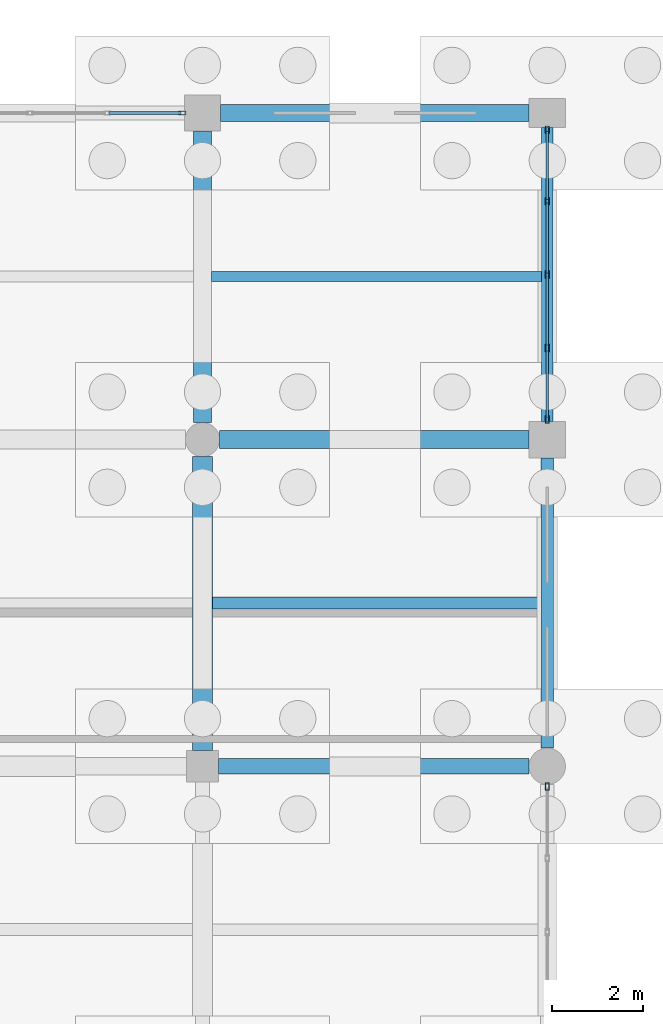
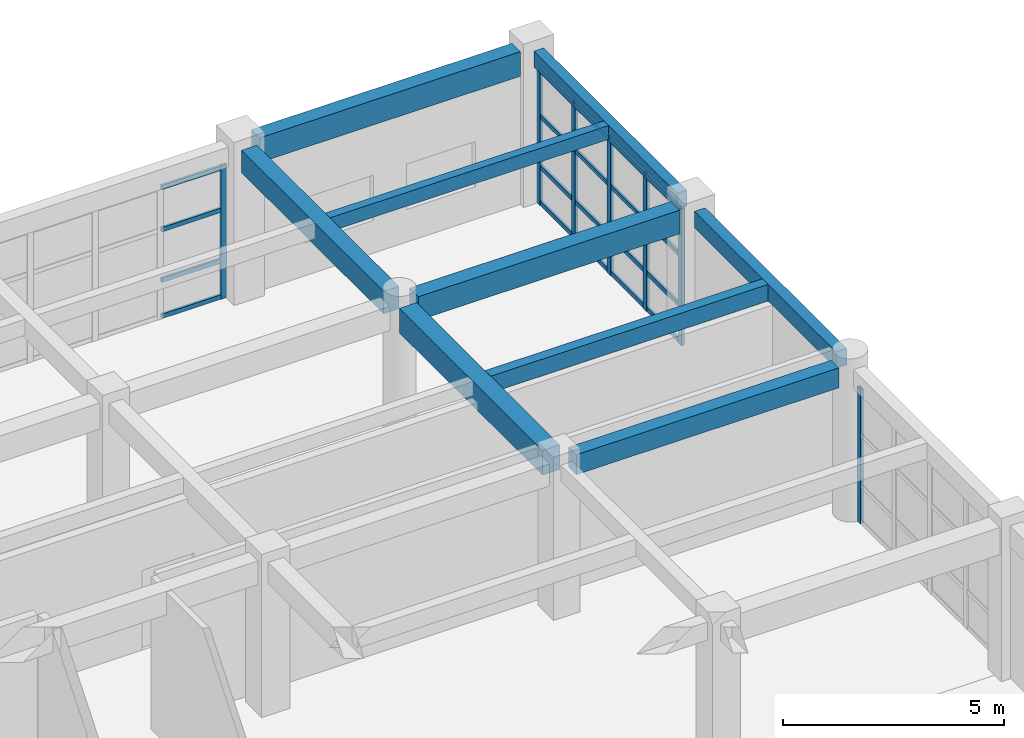
# One storey, part 107 of 166: 27 members, 9 beams, 3 elements without a shape of their own.
"""IFC4 building model written with IfcOpenShell, lengths in metres."""

from ifc_helpers import new_model, si_unit, direction, frame, origin, origin_2d, place, context, subcontext, project, spatial, rectangle, hollow_rectangle, extrude, material, material_profile, profile_set, type_object, element, aggregate, save


model = new_model("IFC4")

# Units and contexts
model_context = context("Model", 3, precision=1e-05, world=origin(), true_north=direction((0.0, 1.0)))
body_context = subcontext(model_context, "Body", "Model", "MODEL_VIEW")
ifc_project = project(units=[si_unit("LENGTHUNIT", "METRE"), si_unit("AREAUNIT", "SQUARE_METRE"), si_unit("VOLUMEUNIT", "CUBIC_METRE"), si_unit("PLANEANGLEUNIT", "RADIAN"), si_unit("MASSUNIT", "GRAM", prefix="KILO")], contexts=[model_context])

# Site, building, storey
site_placement = place(None, origin())
site = spatial("IfcSite", under=ifc_project, at=site_placement, CompositionType="ELEMENT")
building_placement = place(site_placement, origin())
building = spatial("IfcBuilding", under=site, at=building_placement, Name="Kharva Crest Polytechnic", CompositionType="ELEMENT")
storey_placement = place(building_placement, origin())
storey = spatial("IfcBuildingStorey", under=building, at=storey_placement, Name="L00", CompositionType="ELEMENT", Elevation=0.0)

# Beams
ifc_material_1 = material(Name="Concrete C35/45", Category="concrete")
ifc_material_profile_1 = material_profile(ifc_material_1, rectangle(XDim=0.35009765625, YDim=0.550048828125, at=origin_2d()), Name="RECT 350 X 550")
ifc_profile_set_1 = profile_set([ifc_material_profile_1], Name="Concrete C35/45")
beam_type_1 = type_object("IfcBeamType", Name="BM-RC-350X550", PredefinedType="BEAM", material=ifc_profile_set_1)
beam_1_placement = place(storey_placement, frame((176.75, 107.60009765625, 3.945068359375), z_axis=(1.0, 0.0, 0.0), x_axis=(0.0, 1.0, 0.0)))
element("IfcBeam", 1, at=beam_1_placement, inside=storey, type_object=beam_type_1, Name="L00 Beam Q/23-24", PredefinedType="BEAM", context=body_context, shape_type="SweptSolid", body=[
    extrude(rectangle(XDim=0.35009765625, YDim=0.550048828125, at=origin_2d()), origin(), (0.0, 0.0, 1.0), 6.85009765625),
])
ifc_material_profile_2 = material_profile(ifc_material_1, rectangle(XDim=0.39990234375, YDim=0.6201171875, at=origin_2d()), Name="RECT 400 X 620")
ifc_profile_set_2 = profile_set([ifc_material_profile_2], Name="Concrete C35/45")
beam_type_2 = type_object("IfcBeamType", Name="BM-RC-400X620", PredefinedType="BEAM", material=ifc_profile_set_2)
beam_2_placement = place(storey_placement, frame((176.39990234375, 115.175048828125, 3.909912109375), z_axis=(0.0, 1.0, 0.0), x_axis=(-1.0, 0.0, 0.0)))
element("IfcBeam", 2, at=beam_2_placement, inside=storey, type_object=beam_type_2, Name="L00 Girder 23/R-S", PredefinedType="BEAM", context=body_context, shape_type="SweptSolid", body=[
    extrude(rectangle(XDim=0.39990234375, YDim=0.6201171875, at=origin_2d()), origin(), (0.0, 0.0, 1.0), 6.425048828125),
])
ifc_material_profile_3 = material_profile(ifc_material_1, rectangle(XDim=0.39990234375, YDim=0.64990234375, at=origin_2d()), Name="RECT 400 X 650")
ifc_profile_set_3 = profile_set([ifc_material_profile_3], Name="Concrete C35/45")
beam_type_3 = type_object("IfcBeamType", Name="BM-RC-400X650", PredefinedType="BEAM", material=ifc_profile_set_3)
beam_3_placement = place(storey_placement, frame((176.77490234375, 114.800048828125, 3.89501953125), z_axis=(1.0, 0.0, 0.0), x_axis=(0.0, 1.0, 0.0)))
element("IfcBeam", 3, at=beam_3_placement, inside=storey, type_object=beam_type_3, Name="L00 Beam R/23-24", PredefinedType="BEAM", context=body_context, shape_type="SweptSolid", body=[
    extrude(rectangle(XDim=0.39990234375, YDim=0.64990234375, at=origin_2d()), origin(), (0.0, 0.0, 1.0), 6.8251953125),
])
ifc_material_profile_4 = material_profile(ifc_material_1, rectangle(XDim=0.449951171875, YDim=0.679931640625, at=origin_2d()), Name="RECT 450 X 680")
ifc_profile_set_4 = profile_set([ifc_material_profile_4], Name="Concrete C35/45")
beam_type_4 = type_object("IfcBeamType", Name="BM-RC-450X680", PredefinedType="BEAM", material=ifc_profile_set_4)
beam_4_placement = place(storey_placement, frame((176.39990234375, 107.949951171875, 3.8798828125), z_axis=(0.0, 1.0, 0.0), x_axis=(-1.0, 0.0, 0.0)))
element("IfcBeam", 4, at=beam_4_placement, inside=storey, type_object=beam_type_4, Name="L00 Girder 23/Q-R", PredefinedType="BEAM", context=body_context, shape_type="SweptSolid", body=[
    extrude(rectangle(XDim=0.449951171875, YDim=0.679931640625, at=origin_2d()), origin(), (0.0, 0.0, 1.0), 6.47509765625),
])

# Curtain wall, member
ifc_material_2 = material(Name="Tempered insulated glass", Category="glass")
curtain_wall_type = type_object("IfcCurtainWallType", Name="CW-SYS-COURT", PredefinedType="USERDEFINED", material=ifc_material_2)
curtain_wall_1_placement = place(storey_placement, origin())
curtain_wall_1 = element("IfcCurtainWall", 5, at=curtain_wall_1_placement, inside=storey, type_object=curtain_wall_type, Name="L00 Glazed Curtain Wall CW-019", ObjectType="CURTAIN WALL", PredefinedType="USERDEFINED")
ifc_material_3 = material(Name="Steel S355", Category="steel")
ifc_material_profile_5 = material_profile(ifc_material_3, hollow_rectangle(XDim=0.080078125, YDim=0.159912109375, WallThickness=0.0048828125, at=origin_2d()), Name="RHS 160X80X5.0")
ifc_profile_set_5 = profile_set([ifc_material_profile_5], Name="Steel S355")
member_type_1 = type_object("IfcMemberType", Name="CWM-RHS160X80", PredefinedType="MULLION", material=ifc_profile_set_5)
member_1_placement = place(storey_placement, frame((184.0, 107.155029296875, 0.0), z_axis=(0.0, 0.0, 1.0), x_axis=(-1.0, 0.0, 0.0)))
member_1 = element("IfcMember", 6, at=member_1_placement, type_object=member_type_1, Name="CW-019 mullion 5", PredefinedType="MULLION", context=body_context, shape_type="SweptSolid", body=[
    extrude(hollow_rectangle(XDim=0.080078125, YDim=0.159912109375, WallThickness=0.0048828125, at=origin_2d()), origin(), (0.0, 0.0, 1.0), 3.699951171875),
])
aggregate(curtain_wall_1, [member_1])

# Curtain wall, members
curtain_wall_2_placement = place(storey_placement, origin())
curtain_wall_2 = element("IfcCurtainWall", 7, at=curtain_wall_2_placement, inside=storey, type_object=curtain_wall_type, Name="L00 Glazed Curtain Wall CW-020", ObjectType="CURTAIN WALL", PredefinedType="USERDEFINED")
member_2_placement = place(storey_placement, frame((184.0, 115.2451171875, 0.0), z_axis=(0.0, 0.0, 1.0), x_axis=(-1.0, 0.0, 0.0)))
member_2 = element("IfcMember", 8, at=member_2_placement, type_object=member_type_1, Name="CW-020 mullion 1", PredefinedType="MULLION", context=body_context, shape_type="SweptSolid", body=[
    extrude(hollow_rectangle(XDim=0.080078125, YDim=0.159912109375, WallThickness=0.0048828125, at=origin_2d()), origin(), (0.0, 0.0, 1.0), 3.780029296875),
])
member_3_placement = place(storey_placement, frame((184.0, 116.8212890625, 0.0), z_axis=(0.0, 0.0, 1.0), x_axis=(-1.0, 0.0, 0.0)))
member_3 = element("IfcMember", 9, at=member_3_placement, type_object=member_type_1, Name="CW-020 mullion 2", PredefinedType="MULLION", context=body_context, shape_type="SweptSolid", body=[
    extrude(hollow_rectangle(XDim=0.080078125, YDim=0.159912109375, WallThickness=0.0048828125, at=origin_2d()), origin(), (0.0, 0.0, 1.0), 3.780029296875),
])
member_4_placement = place(storey_placement, frame((184.0, 118.4375, 0.0), z_axis=(0.0, 0.0, 1.0), x_axis=(-1.0, 0.0, 0.0)))
member_4 = element("IfcMember", 10, at=member_4_placement, type_object=member_type_1, Name="CW-020 mullion 3", PredefinedType="MULLION", context=body_context, shape_type="SweptSolid", body=[
    extrude(hollow_rectangle(XDim=0.080078125, YDim=0.159912109375, WallThickness=0.0048828125, at=origin_2d()), origin(), (0.0, 0.0, 1.0), 3.780029296875),
])
member_5_placement = place(storey_placement, frame((184.0, 120.0537109375, 0.0), z_axis=(0.0, 0.0, 1.0), x_axis=(-1.0, 0.0, 0.0)))
member_5 = element("IfcMember", 11, at=member_5_placement, type_object=member_type_1, Name="CW-020 mullion 4", PredefinedType="MULLION", context=body_context, shape_type="SweptSolid", body=[
    extrude(hollow_rectangle(XDim=0.080078125, YDim=0.159912109375, WallThickness=0.0048828125, at=origin_2d()), origin(), (0.0, 0.0, 1.0), 3.780029296875),
])
member_6_placement = place(storey_placement, frame((184.0, 121.6298828125, 0.0), z_axis=(0.0, 0.0, 1.0), x_axis=(-1.0, 0.0, 0.0)))
member_6 = element("IfcMember", 12, at=member_6_placement, type_object=member_type_1, Name="CW-020 mullion 5", PredefinedType="MULLION", context=body_context, shape_type="SweptSolid", body=[
    extrude(hollow_rectangle(XDim=0.080078125, YDim=0.159912109375, WallThickness=0.0048828125, at=origin_2d()), origin(), (0.0, 0.0, 1.0), 3.780029296875),
])

# Curtain wall, member
curtain_wall_3_placement = place(storey_placement, origin())
curtain_wall_3 = element("IfcCurtainWall", 13, at=curtain_wall_3_placement, inside=storey, type_object=curtain_wall_type, Name="L00 Glazed Curtain Wall CW-021", ObjectType="CURTAIN WALL", PredefinedType="USERDEFINED")
member_7_placement = place(storey_placement, frame((175.955078125, 122.0, 0.0), z_axis=(0.0, 0.0, 1.0), x_axis=(0.0, -1.0, 0.0)))
member_7 = element("IfcMember", 14, at=member_7_placement, type_object=member_type_1, Name="CW-021 mullion 1", PredefinedType="MULLION", context=body_context, shape_type="SweptSolid", body=[
    extrude(hollow_rectangle(XDim=0.080078125, YDim=0.159912109375, WallThickness=0.0048828125, at=origin_2d()), origin(), (0.0, 0.0, 1.0), 3.669921875),
])

# Member
ifc_material_profile_6 = material_profile(ifc_material_3, hollow_rectangle(XDim=0.06005859375, YDim=0.1201171875, WallThickness=0.00390625, at=origin_2d()), Name="RHS 120X60X4.0")
ifc_profile_set_6 = profile_set([ifc_material_profile_6], Name="Steel S355")
member_type_2 = type_object("IfcMemberType", Name="CWT-RHS120X60", PredefinedType="USERDEFINED", material=ifc_profile_set_6)
member_8_placement = place(storey_placement, frame((184.0, 115.284912109375, 0.06005859375), z_axis=(0.0, 1.0, 0.0), x_axis=(-1.0, 0.0, 0.0)))
member_8 = element("IfcMember", 15, at=member_8_placement, type_object=member_type_2, Name="CW-020 transom 1.1", ObjectType="TRANSOM", PredefinedType="USERDEFINED", context=body_context, shape_type="SweptSolid", body=[
    extrude(hollow_rectangle(XDim=0.06005859375, YDim=0.1201171875, WallThickness=0.00390625, at=origin_2d()), origin(), (0.0, 0.0, 1.0), 1.496337890625),
])

member_9_placement = place(storey_placement, frame((184.0, 115.284912109375, 1.050048828125), z_axis=(0.0, 1.0, 0.0), x_axis=(-1.0, 0.0, 0.0)))
member_9 = element("IfcMember", 16, at=member_9_placement, type_object=member_type_2, Name="CW-020 transom 1.2", ObjectType="TRANSOM", PredefinedType="USERDEFINED", context=body_context, shape_type="SweptSolid", body=[
    extrude(hollow_rectangle(XDim=0.06005859375, YDim=0.1201171875, WallThickness=0.00390625, at=origin_2d()), origin(), (0.0, 0.0, 1.0), 1.496337890625),
])

member_10_placement = place(storey_placement, frame((184.0, 115.284912109375, 2.449951171875), z_axis=(0.0, 1.0, 0.0), x_axis=(-1.0, 0.0, 0.0)))
member_10 = element("IfcMember", 17, at=member_10_placement, type_object=member_type_2, Name="CW-020 transom 1.3", ObjectType="TRANSOM", PredefinedType="USERDEFINED", context=body_context, shape_type="SweptSolid", body=[
    extrude(hollow_rectangle(XDim=0.06005859375, YDim=0.1201171875, WallThickness=0.00390625, at=origin_2d()), origin(), (0.0, 0.0, 1.0), 1.496337890625),
])

member_11_placement = place(storey_placement, frame((184.0, 115.284912109375, 3.719970703125), z_axis=(0.0, 1.0, 0.0), x_axis=(-1.0, 0.0, 0.0)))
member_11 = element("IfcMember", 18, at=member_11_placement, type_object=member_type_2, Name="CW-020 transom 1.4", ObjectType="TRANSOM", PredefinedType="USERDEFINED", context=body_context, shape_type="SweptSolid", body=[
    extrude(hollow_rectangle(XDim=0.06005859375, YDim=0.1201171875, WallThickness=0.00390625, at=origin_2d()), origin(), (0.0, 0.0, 1.0), 1.496337890625),
])

member_12_placement = place(storey_placement, frame((184.0, 116.861328125, 0.06005859375), z_axis=(0.0, 1.0, 0.0), x_axis=(-1.0, 0.0, 0.0)))
member_12 = element("IfcMember", 19, at=member_12_placement, type_object=member_type_2, Name="CW-020 transom 2.1", ObjectType="TRANSOM", PredefinedType="USERDEFINED", context=body_context, shape_type="SweptSolid", body=[
    extrude(hollow_rectangle(XDim=0.06005859375, YDim=0.1201171875, WallThickness=0.00390625, at=origin_2d()), origin(), (0.0, 0.0, 1.0), 1.5361328125),
])

member_13_placement = place(storey_placement, frame((184.0, 116.861328125, 1.050048828125), z_axis=(0.0, 1.0, 0.0), x_axis=(-1.0, 0.0, 0.0)))
member_13 = element("IfcMember", 20, at=member_13_placement, type_object=member_type_2, Name="CW-020 transom 2.2", ObjectType="TRANSOM", PredefinedType="USERDEFINED", context=body_context, shape_type="SweptSolid", body=[
    extrude(hollow_rectangle(XDim=0.06005859375, YDim=0.1201171875, WallThickness=0.00390625, at=origin_2d()), origin(), (0.0, 0.0, 1.0), 1.5361328125),
])

member_14_placement = place(storey_placement, frame((184.0, 116.861328125, 2.449951171875), z_axis=(0.0, 1.0, 0.0), x_axis=(-1.0, 0.0, 0.0)))
member_14 = element("IfcMember", 21, at=member_14_placement, type_object=member_type_2, Name="CW-020 transom 2.3", ObjectType="TRANSOM", PredefinedType="USERDEFINED", context=body_context, shape_type="SweptSolid", body=[
    extrude(hollow_rectangle(XDim=0.06005859375, YDim=0.1201171875, WallThickness=0.00390625, at=origin_2d()), origin(), (0.0, 0.0, 1.0), 1.5361328125),
])

member_15_placement = place(storey_placement, frame((184.0, 116.861328125, 3.719970703125), z_axis=(0.0, 1.0, 0.0), x_axis=(-1.0, 0.0, 0.0)))
member_15 = element("IfcMember", 22, at=member_15_placement, type_object=member_type_2, Name="CW-020 transom 2.4", ObjectType="TRANSOM", PredefinedType="USERDEFINED", context=body_context, shape_type="SweptSolid", body=[
    extrude(hollow_rectangle(XDim=0.06005859375, YDim=0.1201171875, WallThickness=0.00390625, at=origin_2d()), origin(), (0.0, 0.0, 1.0), 1.5361328125),
])

member_16_placement = place(storey_placement, frame((184.0, 118.4775390625, 0.06005859375), z_axis=(0.0, 1.0, 0.0), x_axis=(-1.0, 0.0, 0.0)))
member_16 = element("IfcMember", 23, at=member_16_placement, type_object=member_type_2, Name="CW-020 transom 3.1", ObjectType="TRANSOM", PredefinedType="USERDEFINED", context=body_context, shape_type="SweptSolid", body=[
    extrude(hollow_rectangle(XDim=0.06005859375, YDim=0.1201171875, WallThickness=0.00390625, at=origin_2d()), origin(), (0.0, 0.0, 1.0), 1.5361328125),
])

member_17_placement = place(storey_placement, frame((184.0, 118.4775390625, 1.050048828125), z_axis=(0.0, 1.0, 0.0), x_axis=(-1.0, 0.0, 0.0)))
member_17 = element("IfcMember", 24, at=member_17_placement, type_object=member_type_2, Name="CW-020 transom 3.2", ObjectType="TRANSOM", PredefinedType="USERDEFINED", context=body_context, shape_type="SweptSolid", body=[
    extrude(hollow_rectangle(XDim=0.06005859375, YDim=0.1201171875, WallThickness=0.00390625, at=origin_2d()), origin(), (0.0, 0.0, 1.0), 1.5361328125),
])

member_18_placement = place(storey_placement, frame((184.0, 118.4775390625, 2.449951171875), z_axis=(0.0, 1.0, 0.0), x_axis=(-1.0, 0.0, 0.0)))
member_18 = element("IfcMember", 25, at=member_18_placement, type_object=member_type_2, Name="CW-020 transom 3.3", ObjectType="TRANSOM", PredefinedType="USERDEFINED", context=body_context, shape_type="SweptSolid", body=[
    extrude(hollow_rectangle(XDim=0.06005859375, YDim=0.1201171875, WallThickness=0.00390625, at=origin_2d()), origin(), (0.0, 0.0, 1.0), 1.5361328125),
])

member_19_placement = place(storey_placement, frame((184.0, 118.4775390625, 3.719970703125), z_axis=(0.0, 1.0, 0.0), x_axis=(-1.0, 0.0, 0.0)))
member_19 = element("IfcMember", 26, at=member_19_placement, type_object=member_type_2, Name="CW-020 transom 3.4", ObjectType="TRANSOM", PredefinedType="USERDEFINED", context=body_context, shape_type="SweptSolid", body=[
    extrude(hollow_rectangle(XDim=0.06005859375, YDim=0.1201171875, WallThickness=0.00390625, at=origin_2d()), origin(), (0.0, 0.0, 1.0), 1.5361328125),
])

member_20_placement = place(storey_placement, frame((184.0, 120.09375, 0.06005859375), z_axis=(0.0, 1.0, 0.0), x_axis=(-1.0, 0.0, 0.0)))
member_20 = element("IfcMember", 27, at=member_20_placement, type_object=member_type_2, Name="CW-020 transom 4.1", ObjectType="TRANSOM", PredefinedType="USERDEFINED", context=body_context, shape_type="SweptSolid", body=[
    extrude(hollow_rectangle(XDim=0.06005859375, YDim=0.1201171875, WallThickness=0.00390625, at=origin_2d()), origin(), (0.0, 0.0, 1.0), 1.496337890625),
])

member_21_placement = place(storey_placement, frame((184.0, 120.09375, 1.050048828125), z_axis=(0.0, 1.0, 0.0), x_axis=(-1.0, 0.0, 0.0)))
member_21 = element("IfcMember", 28, at=member_21_placement, type_object=member_type_2, Name="CW-020 transom 4.2", ObjectType="TRANSOM", PredefinedType="USERDEFINED", context=body_context, shape_type="SweptSolid", body=[
    extrude(hollow_rectangle(XDim=0.06005859375, YDim=0.1201171875, WallThickness=0.00390625, at=origin_2d()), origin(), (0.0, 0.0, 1.0), 1.496337890625),
])

member_22_placement = place(storey_placement, frame((184.0, 120.09375, 2.449951171875), z_axis=(0.0, 1.0, 0.0), x_axis=(-1.0, 0.0, 0.0)))
member_22 = element("IfcMember", 29, at=member_22_placement, type_object=member_type_2, Name="CW-020 transom 4.3", ObjectType="TRANSOM", PredefinedType="USERDEFINED", context=body_context, shape_type="SweptSolid", body=[
    extrude(hollow_rectangle(XDim=0.06005859375, YDim=0.1201171875, WallThickness=0.00390625, at=origin_2d()), origin(), (0.0, 0.0, 1.0), 1.496337890625),
])

member_23_placement = place(storey_placement, frame((184.0, 120.09375, 3.719970703125), z_axis=(0.0, 1.0, 0.0), x_axis=(-1.0, 0.0, 0.0)))
member_23 = element("IfcMember", 30, at=member_23_placement, type_object=member_type_2, Name="CW-020 transom 4.4", ObjectType="TRANSOM", PredefinedType="USERDEFINED", context=body_context, shape_type="SweptSolid", body=[
    extrude(hollow_rectangle(XDim=0.06005859375, YDim=0.1201171875, WallThickness=0.00390625, at=origin_2d()), origin(), (0.0, 0.0, 1.0), 1.496337890625),
])

aggregate(curtain_wall_2, [member_2, member_3, member_4, member_5, member_6, member_8, member_9, member_10, member_11, member_12, member_13, member_14, member_15, member_16, member_17, member_18, member_19, member_20, member_21, member_22, member_23])

member_24_placement = place(storey_placement, frame((175.9150390625, 122.0, 0.06005859375), z_axis=(-1.0, 0.0, 0.0), x_axis=(0.0, -1.0, 0.0)))
member_24 = element("IfcMember", 31, at=member_24_placement, type_object=member_type_2, Name="CW-021 transom 1.1", ObjectType="TRANSOM", PredefinedType="USERDEFINED", context=body_context, shape_type="SweptSolid", body=[
    extrude(hollow_rectangle(XDim=0.06005859375, YDim=0.1201171875, WallThickness=0.00390625, at=origin_2d()), origin(), (0.0, 0.0, 1.0), 1.57763671875),
])

member_25_placement = place(storey_placement, frame((175.9150390625, 122.0, 1.050048828125), z_axis=(-1.0, 0.0, 0.0), x_axis=(0.0, -1.0, 0.0)))
member_25 = element("IfcMember", 32, at=member_25_placement, type_object=member_type_2, Name="CW-021 transom 1.2", ObjectType="TRANSOM", PredefinedType="USERDEFINED", context=body_context, shape_type="SweptSolid", body=[
    extrude(hollow_rectangle(XDim=0.06005859375, YDim=0.1201171875, WallThickness=0.00390625, at=origin_2d()), origin(), (0.0, 0.0, 1.0), 1.57763671875),
])

member_26_placement = place(storey_placement, frame((175.9150390625, 122.0, 2.449951171875), z_axis=(-1.0, 0.0, 0.0), x_axis=(0.0, -1.0, 0.0)))
member_26 = element("IfcMember", 33, at=member_26_placement, type_object=member_type_2, Name="CW-021 transom 1.3", ObjectType="TRANSOM", PredefinedType="USERDEFINED", context=body_context, shape_type="SweptSolid", body=[
    extrude(hollow_rectangle(XDim=0.06005859375, YDim=0.1201171875, WallThickness=0.00390625, at=origin_2d()), origin(), (0.0, 0.0, 1.0), 1.57763671875),
])

member_27_placement = place(storey_placement, frame((175.9150390625, 122.0, 3.610107421875), z_axis=(-1.0, 0.0, 0.0), x_axis=(0.0, -1.0, 0.0)))
member_27 = element("IfcMember", 34, at=member_27_placement, type_object=member_type_2, Name="CW-021 transom 1.4", ObjectType="TRANSOM", PredefinedType="USERDEFINED", context=body_context, shape_type="SweptSolid", body=[
    extrude(hollow_rectangle(XDim=0.06005859375, YDim=0.1201171875, WallThickness=0.00390625, at=origin_2d()), origin(), (0.0, 0.0, 1.0), 1.57763671875),
])

aggregate(curtain_wall_3, [member_7, member_24, member_25, member_26, member_27])

# Beams
ifc_material_profile_7 = material_profile(ifc_material_1, rectangle(XDim=0.219970703125, YDim=0.3798828125, at=origin_2d()), Name="RECT 220 X 380")
ifc_profile_set_7 = profile_set([ifc_material_profile_7], Name="Concrete C35/45")
beam_type_5 = type_object("IfcBeamType", Name="JS-RC-220X380", PredefinedType="JOIST", material=ifc_profile_set_7)
beam_5_placement = place(storey_placement, frame((176.60009765625, 118.39990234375, 4.030029296875), z_axis=(1.0, 0.0, 0.0), x_axis=(0.0, 1.0, 0.0)))
element("IfcBeam", 35, at=beam_5_placement, inside=storey, type_object=beam_type_5, Name="L00 Floor Joist 54", PredefinedType="JOIST", context=body_context, shape_type="SweptSolid", body=[
    extrude(rectangle(XDim=0.219970703125, YDim=0.3798828125, at=origin_2d()), origin(), (0.0, 0.0, 1.0), 7.27001953125),
])
ifc_material_profile_8 = material_profile(ifc_material_1, rectangle(XDim=0.260009765625, YDim=0.4599609375, at=origin_2d()), Name="RECT 260 X 460")
ifc_profile_set_8 = profile_set([ifc_material_profile_8], Name="Concrete C35/45")
beam_type_6 = type_object("IfcBeamType", Name="JS-RC-260X460", PredefinedType="JOIST", material=ifc_profile_set_8)
beam_6_placement = place(storey_placement, frame((176.625, 111.199951171875, 3.989990234375), z_axis=(1.0, 0.0, 0.0), x_axis=(0.0, 1.0, 0.0)))
element("IfcBeam", 36, at=beam_6_placement, inside=storey, type_object=beam_type_6, Name="L00 Floor Joist 43", PredefinedType="JOIST", context=body_context, shape_type="SweptSolid", body=[
    extrude(rectangle(XDim=0.260009765625, YDim=0.4599609375, at=origin_2d()), origin(), (0.0, 0.0, 1.0), 7.235107421875),
])
ifc_material_profile_9 = material_profile(ifc_material_1, rectangle(XDim=0.260009765625, YDim=0.43994140625, at=origin_2d()), Name="RECT 260 X 440")
ifc_profile_set_9 = profile_set([ifc_material_profile_9], Name="Concrete C35/45")
beam_type_7 = type_object("IfcBeamType", Name="SP-RC-260X440", PredefinedType="SPANDREL", material=ifc_profile_set_9)
beam_7_placement = place(storey_placement, frame((184.0, 115.199951171875, 4.0), z_axis=(0.0, 1.0, 0.0), x_axis=(-1.0, 0.0, 0.0)))
element("IfcBeam", 37, at=beam_7_placement, inside=storey, type_object=beam_type_7, Name="L00 Girder 24/R-S", PredefinedType="SPANDREL", context=body_context, shape_type="SweptSolid", body=[
    extrude(rectangle(XDim=0.260009765625, YDim=0.43994140625, at=origin_2d()), origin(), (0.0, 0.0, 1.0), 6.47509765625),
])
ifc_material_profile_10 = material_profile(ifc_material_1, rectangle(XDim=0.280029296875, YDim=0.4599609375, at=origin_2d()), Name="RECT 280 X 460")
ifc_profile_set_10 = profile_set([ifc_material_profile_10], Name="Concrete C35/45")
beam_type_8 = type_object("IfcBeamType", Name="SP-RC-280X460", PredefinedType="SPANDREL", material=ifc_profile_set_10)
beam_8_placement = place(storey_placement, frame((184.0, 108.0, 3.989990234375), z_axis=(0.0, 1.0, 0.0), x_axis=(-1.0, 0.0, 0.0)))
element("IfcBeam", 38, at=beam_8_placement, inside=storey, type_object=beam_type_8, Name="L00 Girder 24/Q-R", PredefinedType="SPANDREL", context=body_context, shape_type="SweptSolid", body=[
    extrude(rectangle(XDim=0.280029296875, YDim=0.4599609375, at=origin_2d()), origin(), (0.0, 0.0, 1.0), 6.39990234375),
])
ifc_material_profile_11 = material_profile(ifc_material_1, rectangle(XDim=0.3798828125, YDim=0.679931640625, at=origin_2d()), Name="RECT 380 X 680")
ifc_profile_set_11 = profile_set([ifc_material_profile_11], Name="Concrete C35/45")
beam_type_9 = type_object("IfcBeamType", Name="SP-RC-380X680", PredefinedType="SPANDREL", material=ifc_profile_set_11)
beam_9_placement = place(storey_placement, frame((176.800048828125, 122.0, 3.8798828125), z_axis=(1.0, 0.0, 0.0), x_axis=(0.0, 1.0, 0.0)))
element("IfcBeam", 39, at=beam_9_placement, inside=storey, type_object=beam_type_9, Name="L00 Beam S/23-24", PredefinedType="SPANDREL", context=body_context, shape_type="SweptSolid", body=[
    extrude(rectangle(XDim=0.3798828125, YDim=0.679931640625, at=origin_2d()), origin(), (0.0, 0.0, 1.0), 6.800048828125),
])

save(model, "model.ifc")
